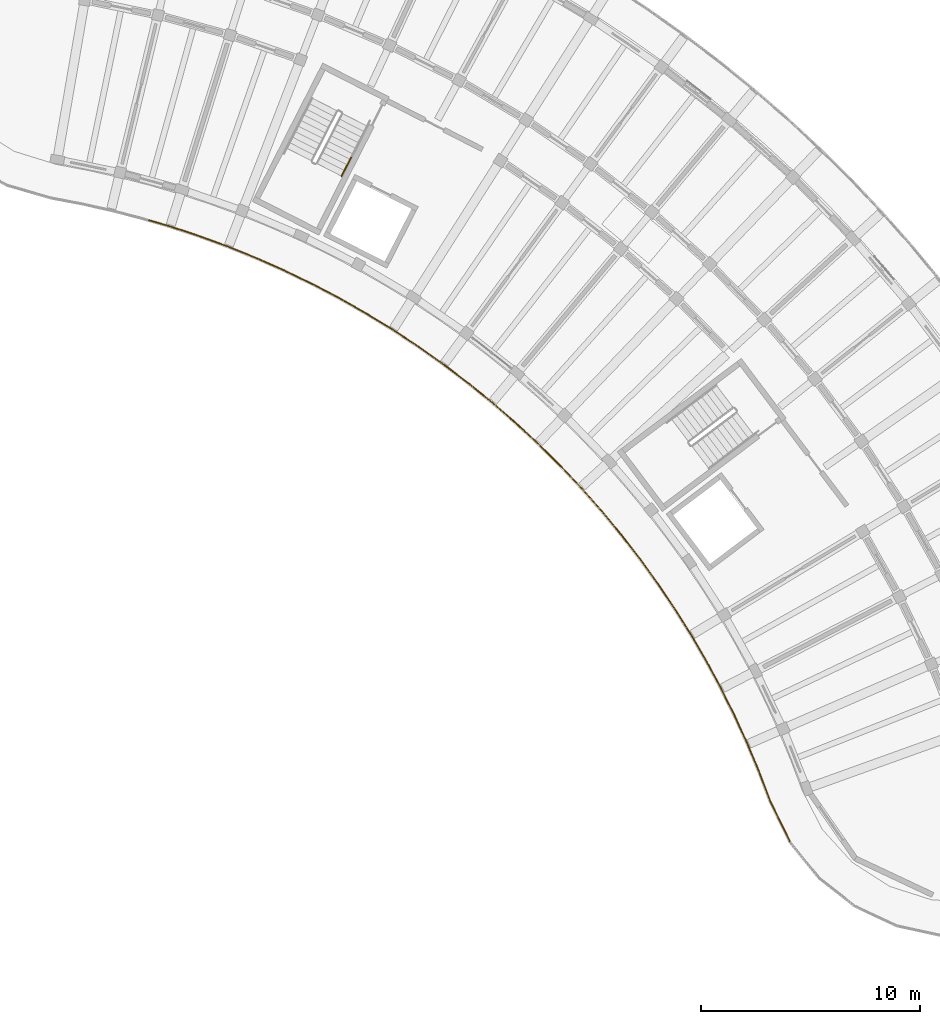
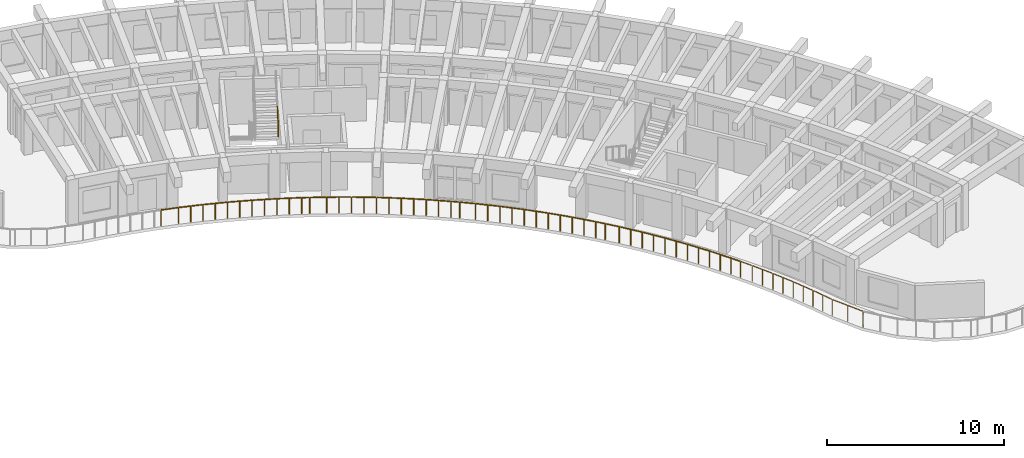
# One storey, part 52 of 56: 6 railings.
"""IFC4 building model written with IfcOpenShell, lengths in metres."""

from ifc_helpers import new_model, si_unit, direction, frame, origin, origin_2d, place, context, subcontext, project, spatial, circle, extrude, material, type_object, element, save


model = new_model("IFC4")

# Units and contexts
model_context = context("Model", 3, precision=1e-05, world=origin(), true_north=direction((0.0, 1.0)))
body_context = subcontext(model_context, "Body", "Model", "MODEL_VIEW")
ifc_project = project(units=[si_unit("LENGTHUNIT", "METRE"), si_unit("AREAUNIT", "SQUARE_METRE"), si_unit("VOLUMEUNIT", "CUBIC_METRE"), si_unit("PLANEANGLEUNIT", "RADIAN"), si_unit("MASSUNIT", "GRAM", prefix="KILO")], contexts=[model_context])

# Site, building, storey
site_placement = place(None, origin())
site = spatial("IfcSite", under=ifc_project, at=site_placement, CompositionType="ELEMENT")
building_placement = place(site_placement, origin())
building = spatial("IfcBuilding", under=site, at=building_placement, Name="Tanwirah Colonnade Gardens", CompositionType="ELEMENT")
storey_placement = place(building_placement, frame((0.0, 0.0, 29.0)))
storey = spatial("IfcBuildingStorey", under=building, at=storey_placement, Name="L08", CompositionType="ELEMENT", Elevation=29.0)

# Railings
ifc_material_1 = material(Name="Precast concrete C40/50", Category="concrete")
railing_type_1 = type_object("IfcRailingType", Name="BAL-EXT112", PredefinedType="BALUSTRADE", material=ifc_material_1)
railing_1_placement = place(storey_placement, frame((162.08447265625, 72.76953125, 0.0)))
element("IfcRailing", 1, at=railing_1_placement, inside=storey, type_object=railing_type_1, Name="Block B L08 Balcony Ribbon Balustrade 1", PredefinedType="BALUSTRADE", context=body_context, shape_type="SweptSolid", body=[
    extrude(circle(Radius=0.02392578125, at=origin_2d()), frame((-0.013916015625, 0.028076171875, 1.09619140625), z_axis=(-0.441603094029, 0.897210514508, 0.0), x_axis=(-0.897210514508, -0.441603094029, 0.0)), (0.0, 0.0, 1.0), 2.029541015625),
    extrude(circle(Radius=0.02392578125, at=origin_2d()), frame((-0.934814453125, 1.90625, 1.09619140625), z_axis=(-0.353834404232, 0.935308085276, 0.0), x_axis=(-0.935308085276, -0.353834404232, 0.0)), (0.0, 0.0, 1.0), 1.338134765625),
    extrude(circle(Radius=0.02392578125, at=origin_2d()), frame((-1.432373046875, 3.21826171875, 1.09619140625), z_axis=(-0.384541319971, 0.923107779858, 0.0), x_axis=(-0.923107779858, -0.384541319971, 0.0)), (0.0, 0.0, 1.0), 1.341796875),
    extrude(circle(Radius=0.02392578125, at=origin_2d()), frame((-1.974365234375, 4.516845703125, 1.09619140625), z_axis=(-0.414654197084, 0.909979063957, 0.0), x_axis=(-0.909979063957, -0.414654197084, 0.0)), (0.0, 0.0, 1.0), 1.341796875),
    extrude(circle(Radius=0.02392578125, at=origin_2d()), frame((-2.558837890625, 5.796630859375, 1.09619140625), z_axis=(-0.444499692011, 0.895779003885, 0.0), x_axis=(-0.895779003885, -0.444499692011, 0.0)), (0.0, 0.0, 1.0), 1.341796875),
    extrude(circle(Radius=0.02392578125, at=origin_2d()), frame((-3.185302734375, 7.056396484375, 1.09619140625), z_axis=(-0.473672633609, 0.880700991353, 0.0), x_axis=(-0.880700991353, -0.473672633609, 0.0)), (0.0, 0.0, 1.0), 0.721435546875),
    extrude(circle(Radius=0.02099609375, at=origin_2d()), origin(), (0.0, 0.0, 1.0), 1.069091796875),
    extrude(circle(Radius=0.02099609375, at=origin_2d()), frame((-0.4619140625, 0.9384765625, 0.0)), (0.0, 0.0, 1.0), 1.069091796875),
    extrude(circle(Radius=0.02099609375, at=origin_2d()), frame((-0.923828125, 1.876953125, 0.0)), (0.0, 0.0, 1.0), 1.069091796875),
    extrude(circle(Radius=0.02099609375, at=origin_2d()), frame((-1.171630859375, 2.531982421875, 0.0)), (0.0, 0.0, 1.0), 1.069091796875),
    extrude(circle(Radius=0.02099609375, at=origin_2d()), frame((-1.41943359375, 3.18701171875, 0.0)), (0.0, 0.0, 1.0), 1.069091796875),
    extrude(circle(Radius=0.02099609375, at=origin_2d()), frame((-1.6904296875, 3.837646484375, 0.0)), (0.0, 0.0, 1.0), 1.069091796875),
    extrude(circle(Radius=0.02099609375, at=origin_2d()), frame((-1.96044921875, 4.48583984375, 0.0)), (0.0, 0.0, 1.0), 1.069091796875),
    extrude(circle(Radius=0.02099609375, at=origin_2d()), frame((-2.25244140625, 5.127197265625, 0.0)), (0.0, 0.0, 1.0), 1.069091796875),
    extrude(circle(Radius=0.02099609375, at=origin_2d()), frame((-2.543701171875, 5.76611328125, 0.0)), (0.0, 0.0, 1.0), 1.069091796875),
    extrude(circle(Radius=0.02099609375, at=origin_2d()), frame((-2.85693359375, 6.3974609375, 0.0)), (0.0, 0.0, 1.0), 1.069091796875),
    extrude(circle(Radius=0.02099609375, at=origin_2d()), frame((-3.169189453125, 7.026611328125, 0.0)), (0.0, 0.0, 1.0), 1.069091796875),
    extrude(circle(Radius=0.02099609375, at=origin_2d()), frame((-3.541748046875, 7.71923828125, 0.0)), (0.0, 0.0, 1.0), 1.069091796875),
])
railing_2_placement = place(storey_placement, frame((158.542724609375, 80.48876953125, 0.0)))
element("IfcRailing", 2, at=railing_2_placement, inside=storey, type_object=railing_type_1, Name="Block B L08 Balcony Ribbon Balustrade 2", PredefinedType="BALUSTRADE", context=body_context, shape_type="SweptSolid", body=[
    extrude(circle(Radius=0.02392578125, at=origin_2d()), frame((-0.014892578125, 0.027587890625, 1.09619140625), z_axis=(-0.473771273576, 0.880647932112, 0.0), x_axis=(-0.880647932112, -0.473771273576, 0.0)), (0.0, 0.0, 1.0), 0.557861328125),
    extrude(circle(Radius=0.02392578125, at=origin_2d()), frame((-0.310791015625, 0.57568359375, 1.09619140625), z_axis=(-0.502378729104, 0.864647681165, 0.0), x_axis=(-0.864647681165, -0.502378729104, 0.0)), (0.0, 0.0, 1.0), 1.342041015625),
    extrude(circle(Radius=0.02392578125, at=origin_2d()), frame((-1.018798828125, 1.791748046875, 1.09619140625), z_axis=(-0.530764445851, 0.847519382091, 0.0), x_axis=(-0.847519382091, -0.530764445851, 0.0)), (0.0, 0.0, 1.0), 1.341796875),
    extrude(circle(Radius=0.02392578125, at=origin_2d()), frame((-1.7666015625, 2.9833984375, 1.09619140625), z_axis=(-0.558385571779, 0.829581553091, 0.0), x_axis=(-0.829581553091, -0.558385571779, 0.0)), (0.0, 0.0, 1.0), 1.341796875),
    extrude(circle(Radius=0.02392578125, at=origin_2d()), frame((-2.552978515625, 4.150146484375, 1.09619140625), z_axis=(-0.585522290474, 0.810656306556, 0.0), x_axis=(-0.810656306556, -0.585522290474, 0.0)), (0.0, 0.0, 1.0), 1.341796875),
    extrude(circle(Radius=0.02392578125, at=origin_2d()), frame((-3.37744140625, 5.2900390625, 1.09619140625), z_axis=(-0.611783903817, 0.791024939576, 0.0), x_axis=(-0.791024939576, -0.611783903817, 0.0)), (0.0, 0.0, 1.0), 1.341796875),
    extrude(circle(Radius=0.02392578125, at=origin_2d()), frame((-4.2392578125, 6.40234375, 1.09619140625), z_axis=(-0.637585515611, 0.770379588439, 0.0), x_axis=(-0.770379588439, -0.637585515611, 0.0)), (0.0, 0.0, 1.0), 0.779541015625),
    extrude(circle(Radius=0.02099609375, at=origin_2d()), origin(), (0.0, 0.0, 1.0), 1.069091796875),
    extrude(circle(Radius=0.02099609375, at=origin_2d()), frame((-0.2939453125, 0.54638671875, 0.0)), (0.0, 0.0, 1.0), 1.069091796875),
    extrude(circle(Radius=0.02099609375, at=origin_2d()), frame((-0.64794921875, 1.15576171875, 0.0)), (0.0, 0.0, 1.0), 1.069091796875),
    extrude(circle(Radius=0.02099609375, at=origin_2d()), frame((-1.000732421875, 1.762939453125, 0.0)), (0.0, 0.0, 1.0), 1.069091796875),
    extrude(circle(Radius=0.02099609375, at=origin_2d()), frame((-1.375, 2.3603515625, 0.0)), (0.0, 0.0, 1.0), 1.069091796875),
    extrude(circle(Radius=0.02099609375, at=origin_2d()), frame((-1.74755859375, 2.955322265625, 0.0)), (0.0, 0.0, 1.0), 1.069091796875),
    extrude(circle(Radius=0.02099609375, at=origin_2d()), frame((-2.14111328125, 3.5400390625, 0.0)), (0.0, 0.0, 1.0), 1.069091796875),
    extrude(circle(Radius=0.02099609375, at=origin_2d()), frame((-2.533203125, 4.12255859375, 0.0)), (0.0, 0.0, 1.0), 1.069091796875),
    extrude(circle(Radius=0.02099609375, at=origin_2d()), frame((-2.94580078125, 4.69384765625, 0.0)), (0.0, 0.0, 1.0), 1.069091796875),
    extrude(circle(Radius=0.02099609375, at=origin_2d()), frame((-3.35693359375, 5.26318359375, 0.0)), (0.0, 0.0, 1.0), 1.069091796875),
    extrude(circle(Radius=0.02099609375, at=origin_2d()), frame((-3.7880859375, 5.82080078125, 0.0)), (0.0, 0.0, 1.0), 1.069091796875),
    extrude(circle(Radius=0.02099609375, at=origin_2d()), frame((-4.217529296875, 6.376220703125, 0.0)), (0.0, 0.0, 1.0), 1.069091796875),
    extrude(circle(Radius=0.02099609375, at=origin_2d()), frame((-4.756103515625, 7.02685546875, 0.0)), (0.0, 0.0, 1.0), 1.069091796875),
])
railing_3_placement = place(storey_placement, frame((153.78662109375, 87.515625, 0.0)))
element("IfcRailing", 3, at=railing_3_placement, inside=storey, type_object=railing_type_1, Name="Block B L08 Balcony Ribbon Balustrade 3", PredefinedType="BALUSTRADE", context=body_context, shape_type="SweptSolid", body=[
    extrude(circle(Radius=0.02392578125, at=origin_2d()), frame((-0.02001953125, 0.024169921875, 1.09619140625), z_axis=(-0.637576596563, 0.77038696998, 0.0), x_axis=(-0.77038696998, -0.637576596563, 0.0)), (0.0, 0.0, 1.0), 0.5),
    extrude(circle(Radius=0.02392578125, at=origin_2d()), frame((-0.381103515625, 0.458740234375, 1.09619140625), z_axis=(-0.662581384852, 0.748989925464, 0.0), x_axis=(-0.748989925464, -0.662581384852, 0.0)), (0.0, 0.0, 1.0), 1.341796875),
    extrude(circle(Radius=0.02392578125, at=origin_2d()), frame((-1.31396484375, 1.51171875, 1.09619140625), z_axis=(-0.687011382404, 0.726646654466, 0.0), x_axis=(-0.726646654466, -0.687011382404, 0.0)), (0.0, 0.0, 1.0), 1.341796875),
    extrude(circle(Radius=0.02392578125, at=origin_2d()), frame((-2.28125, 2.533447265625, 1.09619140625), z_axis=(-0.710488556831, 0.703708754111, 0.0), x_axis=(-0.703708754111, -0.710488556831, 0.0)), (0.0, 0.0, 1.0), 1.341796875),
    extrude(circle(Radius=0.02392578125, at=origin_2d()), frame((-3.28173828125, 3.522705078125, 1.09619140625), z_axis=(-0.73336899588, 0.679830799451, 0.0), x_axis=(-0.679830799451, -0.73336899588, 0.0)), (0.0, 0.0, 1.0), 1.342041015625),
    extrude(circle(Radius=0.02392578125, at=origin_2d()), frame((-4.314453125, 4.478515625, 1.09619140625), z_axis=(-0.755402192857, 0.655261418845, 0.0), x_axis=(-0.655261418845, -0.755402192857, 0.0)), (0.0, 0.0, 1.0), 1.341796875),
    extrude(circle(Radius=0.02392578125, at=origin_2d()), frame((-5.377685546875, 5.399658203125, 1.09619140625), z_axis=(-0.776536947175, 0.630071717879, 0.0), x_axis=(-0.630071717879, -0.776536947175, 0.0)), (0.0, 0.0, 1.0), 0.837646484375),
    extrude(circle(Radius=0.02099609375, at=origin_2d()), origin(), (0.0, 0.0, 1.0), 1.069091796875),
    extrude(circle(Radius=0.02099609375, at=origin_2d()), frame((-0.358642578125, 0.433349609375, 0.0)), (0.0, 0.0, 1.0), 1.069091796875),
    extrude(circle(Radius=0.02099609375, at=origin_2d()), frame((-0.82568359375, 0.961181640625, 0.0)), (0.0, 0.0, 1.0), 1.069091796875),
    extrude(circle(Radius=0.02099609375, at=origin_2d()), frame((-1.290771484375, 1.487060546875, 0.0)), (0.0, 0.0, 1.0), 1.069091796875),
    extrude(circle(Radius=0.02099609375, at=origin_2d()), frame((-1.77490234375, 1.999267578125, 0.0)), (0.0, 0.0, 1.0), 1.069091796875),
    extrude(circle(Radius=0.02099609375, at=origin_2d()), frame((-2.25732421875, 2.509521484375, 0.0)), (0.0, 0.0, 1.0), 1.069091796875),
    extrude(circle(Radius=0.02099609375, at=origin_2d()), frame((-2.7578125, 3.005615234375, 0.0)), (0.0, 0.0, 1.0), 1.069091796875),
    extrude(circle(Radius=0.02099609375, at=origin_2d()), frame((-3.2568359375, 3.499755859375, 0.0)), (0.0, 0.0, 1.0), 1.069091796875),
    extrude(circle(Radius=0.02099609375, at=origin_2d()), frame((-3.77392578125, 3.97900390625, 0.0)), (0.0, 0.0, 1.0), 1.069091796875),
    extrude(circle(Radius=0.02099609375, at=origin_2d()), frame((-4.288818359375, 4.456298828125, 0.0)), (0.0, 0.0, 1.0), 1.069091796875),
    extrude(circle(Radius=0.02099609375, at=origin_2d()), frame((-4.8212890625, 4.91796875, 0.0)), (0.0, 0.0, 1.0), 1.069091796875),
    extrude(circle(Radius=0.02099609375, at=origin_2d()), frame((-5.3515625, 5.378173828125, 0.0)), (0.0, 0.0, 1.0), 1.069091796875),
    extrude(circle(Radius=0.02099609375, at=origin_2d()), frame((-6.052490234375, 5.947021484375, 0.0)), (0.0, 0.0, 1.0), 1.069091796875),
])
railing_4_placement = place(storey_placement, frame((147.734130859375, 93.462646484375, 0.0)))
element("IfcRailing", 4, at=railing_4_placement, inside=storey, type_object=railing_type_1, Name="Block B L08 Balcony Ribbon Balustrade 4", PredefinedType="BALUSTRADE", context=body_context, shape_type="SweptSolid", body=[
    extrude(circle(Radius=0.02392578125, at=origin_2d()), frame((-0.024169921875, 0.019775390625, 1.09619140625), z_axis=(-0.776410036898, 0.630228097282, 0.0), x_axis=(-0.630228097282, -0.776410036898, 0.0)), (0.0, 0.0, 1.0), 0.44189453125),
    extrude(circle(Radius=0.02392578125, at=origin_2d()), frame((-0.41845703125, 0.338134765625, 1.09619140625), z_axis=(-0.796818244666, 0.604219070344, 0.0), x_axis=(-0.604219070344, -0.796818244666, 0.0)), (0.0, 0.0, 1.0), 1.342041015625),
    extrude(circle(Radius=0.02392578125, at=origin_2d()), frame((-1.54052734375, 1.1875, 1.09619140625), z_axis=(-0.816321661452, 0.577597563226, 0.0), x_axis=(-0.577597563226, -0.816321661452, 0.0)), (0.0, 0.0, 1.0), 1.341552734375),
    extrude(circle(Radius=0.02392578125, at=origin_2d()), frame((-2.689453125, 1.9990234375, 1.09619140625), z_axis=(-0.834927342507, 0.550360184547, 0.0), x_axis=(-0.550360184547, -0.834927342507, 0.0)), (0.0, 0.0, 1.0), 1.341796875),
    extrude(circle(Radius=0.02392578125, at=origin_2d()), frame((-3.86474609375, 2.7724609375, 1.09619140625), z_axis=(-0.852623736113, 0.522525372223, 0.0), x_axis=(-0.522525372223, -0.852623736113, 0.0)), (0.0, 0.0, 1.0), 1.342041015625),
    extrude(circle(Radius=0.02392578125, at=origin_2d()), frame((-5.06494140625, 3.506591796875, 1.09619140625), z_axis=(-0.869342839865, 0.494209496848, 0.0), x_axis=(-0.494209496848, -0.869342839865, 0.0)), (0.0, 0.0, 1.0), 1.342041015625),
    extrude(circle(Radius=0.02392578125, at=origin_2d()), frame((-6.288818359375, 4.201171875, 1.09619140625), z_axis=(-0.885172336997, 0.465263295152, 0.0), x_axis=(-0.465263295152, -0.885172336997, 0.0)), (0.0, 0.0, 1.0), 0.895751953125),
    extrude(circle(Radius=0.02099609375, at=origin_2d()), origin(), (0.0, 0.0, 1.0), 1.069091796875),
    extrude(circle(Radius=0.02099609375, at=origin_2d()), frame((-0.3916015625, 0.31787109375, 0.0)), (0.0, 0.0, 1.0), 1.069091796875),
    extrude(circle(Radius=0.02099609375, at=origin_2d()), frame((-0.953125, 0.74365234375, 0.0)), (0.0, 0.0, 1.0), 1.069091796875),
    extrude(circle(Radius=0.02099609375, at=origin_2d()), frame((-1.5126953125, 1.16796875, 0.0)), (0.0, 0.0, 1.0), 1.069091796875),
    extrude(circle(Radius=0.02099609375, at=origin_2d()), frame((-2.087890625, 1.574951171875, 0.0)), (0.0, 0.0, 1.0), 1.069091796875),
    extrude(circle(Radius=0.02099609375, at=origin_2d()), frame((-2.6611328125, 1.98046875, 0.0)), (0.0, 0.0, 1.0), 1.069091796875),
    extrude(circle(Radius=0.02099609375, at=origin_2d()), frame((-3.24951171875, 2.368408203125, 0.0)), (0.0, 0.0, 1.0), 1.069091796875),
    extrude(circle(Radius=0.02099609375, at=origin_2d()), frame((-3.8359375, 2.7548828125, 0.0)), (0.0, 0.0, 1.0), 1.069091796875),
    extrude(circle(Radius=0.02099609375, at=origin_2d()), frame((-4.43701171875, 3.123046875, 0.0)), (0.0, 0.0, 1.0), 1.069091796875),
    extrude(circle(Radius=0.02099609375, at=origin_2d()), frame((-5.03564453125, 3.489990234375, 0.0)), (0.0, 0.0, 1.0), 1.069091796875),
    extrude(circle(Radius=0.02099609375, at=origin_2d()), frame((-5.6484375, 3.83837890625, 0.0)), (0.0, 0.0, 1.0), 1.069091796875),
    extrude(circle(Radius=0.02099609375, at=origin_2d()), frame((-6.2587890625, 4.185302734375, 0.0)), (0.0, 0.0, 1.0), 1.069091796875),
    extrude(circle(Radius=0.02099609375, at=origin_2d()), frame((-7.109375, 4.63232421875, 0.0)), (0.0, 0.0, 1.0), 1.069091796875),
])
railing_5_placement = place(storey_placement, frame((140.624755859375, 98.094970703125, 0.0)))
element("IfcRailing", 5, at=railing_5_placement, inside=storey, type_object=railing_type_1, Name="Block B L08 Balcony Ribbon Balustrade 5", PredefinedType="BALUSTRADE", context=body_context, shape_type="SweptSolid", body=[
    extrude(circle(Radius=0.02392578125, at=origin_2d()), frame((-0.027587890625, 0.0146484375, 1.09619140625), z_axis=(-0.885274020794, 0.465069788427, 0.0), x_axis=(-0.465069788427, -0.885274020794, 0.0)), (0.0, 0.0, 1.0), 0.3837890625),
    extrude(circle(Radius=0.02392578125, at=origin_2d()), frame((-0.42529296875, 0.222412109375, 1.09619140625), z_axis=(-0.900124070825, 0.43563362717, 0.0), x_axis=(-0.43563362717, -0.900124070825, 0.0)), (0.0, 0.0, 1.0), 1.341796875),
    extrude(circle(Radius=0.02392578125, at=origin_2d()), frame((-1.692138671875, 0.83447265625, 1.09619140625), z_axis=(-0.913997826773, 0.40571908096, 0.0), x_axis=(-0.40571908096, -0.913997826773, 0.0)), (0.0, 0.0, 1.0), 1.342041015625),
    extrude(circle(Radius=0.02392578125, at=origin_2d()), frame((-2.978515625, 1.404296875, 1.09619140625), z_axis=(-0.92683738147, 0.375463005247, 0.0), x_axis=(-0.375463005247, -0.92683738147, 0.0)), (0.0, 0.0, 1.0), 1.342041015625),
    extrude(circle(Radius=0.02392578125, at=origin_2d()), frame((-4.282958984375, 1.931640625, 1.09619140625), z_axis=(-0.93868698515, 0.344770567059, 0.0), x_axis=(-0.344770567059, -0.93868698515, 0.0)), (0.0, 0.0, 1.0), 1.341796875),
    extrude(circle(Radius=0.02392578125, at=origin_2d()), frame((-5.604248046875, 2.415771484375, 1.09619140625), z_axis=(-0.949531842797, 0.313670654533, 0.0), x_axis=(-0.313670654533, -0.949531842797, 0.0)), (0.0, 0.0, 1.0), 1.341552734375),
    extrude(circle(Radius=0.02392578125, at=origin_2d()), frame((-6.9404296875, 2.85595703125, 1.09619140625), z_axis=(-0.959327236026, 0.282296394273, 0.0), x_axis=(-0.282296394273, -0.959327236026, 0.0)), (0.0, 0.0, 1.0), 0.95361328125),
    extrude(circle(Radius=0.02099609375, at=origin_2d()), origin(), (0.0, 0.0, 1.0), 1.069091796875),
    extrude(circle(Radius=0.02099609375, at=origin_2d()), frame((-0.39501953125, 0.20751953125, 0.0)), (0.0, 0.0, 1.0), 1.069091796875),
    extrude(circle(Radius=0.02099609375, at=origin_2d()), frame((-1.029296875, 0.5146484375, 0.0)), (0.0, 0.0, 1.0), 1.069091796875),
    extrude(circle(Radius=0.02099609375, at=origin_2d()), frame((-1.661376953125, 0.820556640625, 0.0)), (0.0, 0.0, 1.0), 1.069091796875),
    extrude(circle(Radius=0.02099609375, at=origin_2d()), frame((-2.305419921875, 1.106689453125, 0.0)), (0.0, 0.0, 1.0), 1.069091796875),
    extrude(circle(Radius=0.02099609375, at=origin_2d()), frame((-2.947265625, 1.3916015625, 0.0)), (0.0, 0.0, 1.0), 1.069091796875),
    extrude(circle(Radius=0.02099609375, at=origin_2d()), frame((-3.600341796875, 1.65625, 0.0)), (0.0, 0.0, 1.0), 1.069091796875),
    extrude(circle(Radius=0.02099609375, at=origin_2d()), frame((-4.251220703125, 1.919921875, 0.0)), (0.0, 0.0, 1.0), 1.069091796875),
    extrude(circle(Radius=0.02099609375, at=origin_2d()), frame((-4.91259765625, 2.1630859375, 0.0)), (0.0, 0.0, 1.0), 1.069091796875),
    extrude(circle(Radius=0.02099609375, at=origin_2d()), frame((-5.57177734375, 2.405029296875, 0.0)), (0.0, 0.0, 1.0), 1.069091796875),
    extrude(circle(Radius=0.02099609375, at=origin_2d()), frame((-6.2412109375, 2.626220703125, 0.0)), (0.0, 0.0, 1.0), 1.069091796875),
    extrude(circle(Radius=0.02099609375, at=origin_2d()), frame((-6.90771484375, 2.846435546875, 0.0)), (0.0, 0.0, 1.0), 1.069091796875),
    extrude(circle(Radius=0.02099609375, at=origin_2d()), frame((-7.88525390625, 3.134033203125, 0.0)), (0.0, 0.0, 1.0), 1.069091796875),
])
ifc_material_2 = material(Name="Brushed bronze stainless steel", Category="steel")
railing_type_2 = type_object("IfcRailingType", Name="HR-ST090", PredefinedType="HANDRAIL", material=ifc_material_2)
railing_6_placement = place(storey_placement, frame((141.552490234375, 103.24609375, 1.847900390625)))
element("IfcRailing", 6, at=railing_6_placement, inside=storey, type_object=railing_type_2, Name="L08 ST-B2 stair handrail 4", PredefinedType="HANDRAIL", context=body_context, shape_type="SweptSolid", body=[
    extrude(circle(Radius=0.02392578125, at=origin_2d()), frame((0.01220703125, 0.02392578125, 0.891845703125), z_axis=(0.390073458003, 0.765356354779, 0.511930022133), x_axis=(-0.890957114254, 0.454087459154, 0.0)), (0.0, 0.0, 1.0), 1.04345703125),
    extrude(circle(Radius=0.02099609375, at=origin_2d()), origin(), (0.0, 0.0, 1.0), 0.848876953125),
    extrude(circle(Radius=0.02099609375, at=origin_2d()), frame((0.431396484375, 0.846435546875, 0.566162109375)), (0.0, 0.0, 1.0), 0.848876953125),
])

save(model, "model.ifc")
